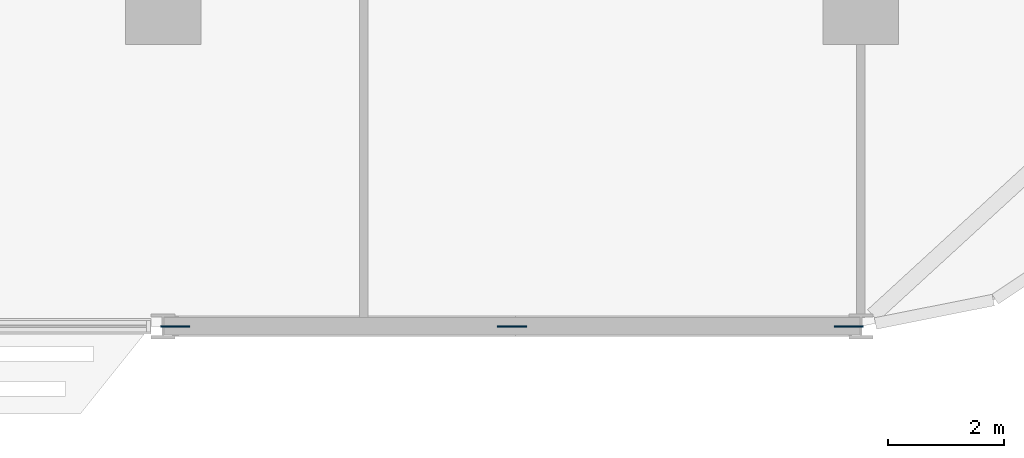
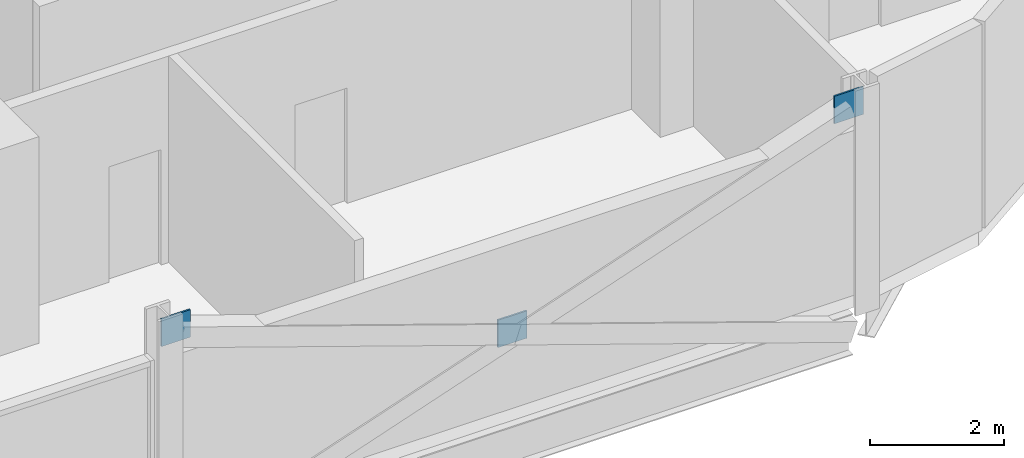
# One storey, part 23 of 29: 3 discrete accessories.
"""IFC4 building model written with IfcOpenShell, lengths in metres."""

from ifc_helpers import new_model, si_unit, direction, frame, origin, origin_2d, place, context, subcontext, project, spatial, rectangle, extrude, material, layer, layer_set, type_object, element, save


model = new_model("IFC4")

# Units and contexts
model_context = context("Model", 3, precision=1e-05, world=origin(), true_north=direction((0.0, 1.0)))
body_context = subcontext(model_context, "Body", "Model", "MODEL_VIEW")
ifc_project = project(units=[si_unit("LENGTHUNIT", "METRE"), si_unit("AREAUNIT", "SQUARE_METRE"), si_unit("VOLUMEUNIT", "CUBIC_METRE"), si_unit("PLANEANGLEUNIT", "RADIAN"), si_unit("MASSUNIT", "GRAM", prefix="KILO")], contexts=[model_context])

# Site, building, storey
site_placement = place(None, origin())
site = spatial("IfcSite", under=ifc_project, at=site_placement, CompositionType="ELEMENT")
building_placement = place(site_placement, origin())
building = spatial("IfcBuilding", under=site, at=building_placement, Name="Mahtab Terrace Research Tower", CompositionType="ELEMENT")
storey_placement = place(building_placement, frame((0.0, 0.0, 146.60009765625)))
storey = spatial("IfcBuildingStorey", under=building, at=storey_placement, Name="L34", CompositionType="ELEMENT", Elevation=146.60009765625)

# Discrete accessories
ifc_material = material(Name="Steel ASTM A992 Gr 50", Category="steel")
ifc_layer = layer(ifc_material, 0.030029296875)
ifc_layer_set = layer_set([ifc_layer], Name="Gusset plate 500x500x30")
discrete_accessory_type = type_object("IfcDiscreteAccessoryType", Name="Gusset plate 500x500x30", PredefinedType="USERDEFINED", material=ifc_layer_set)
for number, where, z_axis, x_axis, name in (
    (1, (30.205810546875, -17.0, 3.129638671875), (0.0, 0.0, 1.0), (1.0, 0.0, 0.0), "Gusset plate"),
    (2, (36.0, -17.0, 1.08154296875), (0.0, 0.0, 1.0), (1.0, 0.0, 0.0), "Gusset plate"),
    (3, (41.794189453125, -17.0, 3.129638671875), (0.0, 0.0, 1.0), (1.0, 0.0, 0.0), "Gusset plate"),
):
    element("IfcDiscreteAccessory", number, at=place(storey_placement, frame(where, z_axis=z_axis, x_axis=x_axis)), inside=storey, type_object=discrete_accessory_type, Name=name, ObjectType="GUSSET PLATE", PredefinedType="USERDEFINED", context=body_context, shape_type="SweptSolid", body=[
        extrude(rectangle(XDim=0.5, YDim=0.030029296875, at=origin_2d()), origin(), (0.0, 0.0, 1.0), 0.5),
    ])

save(model, "model.ifc")
